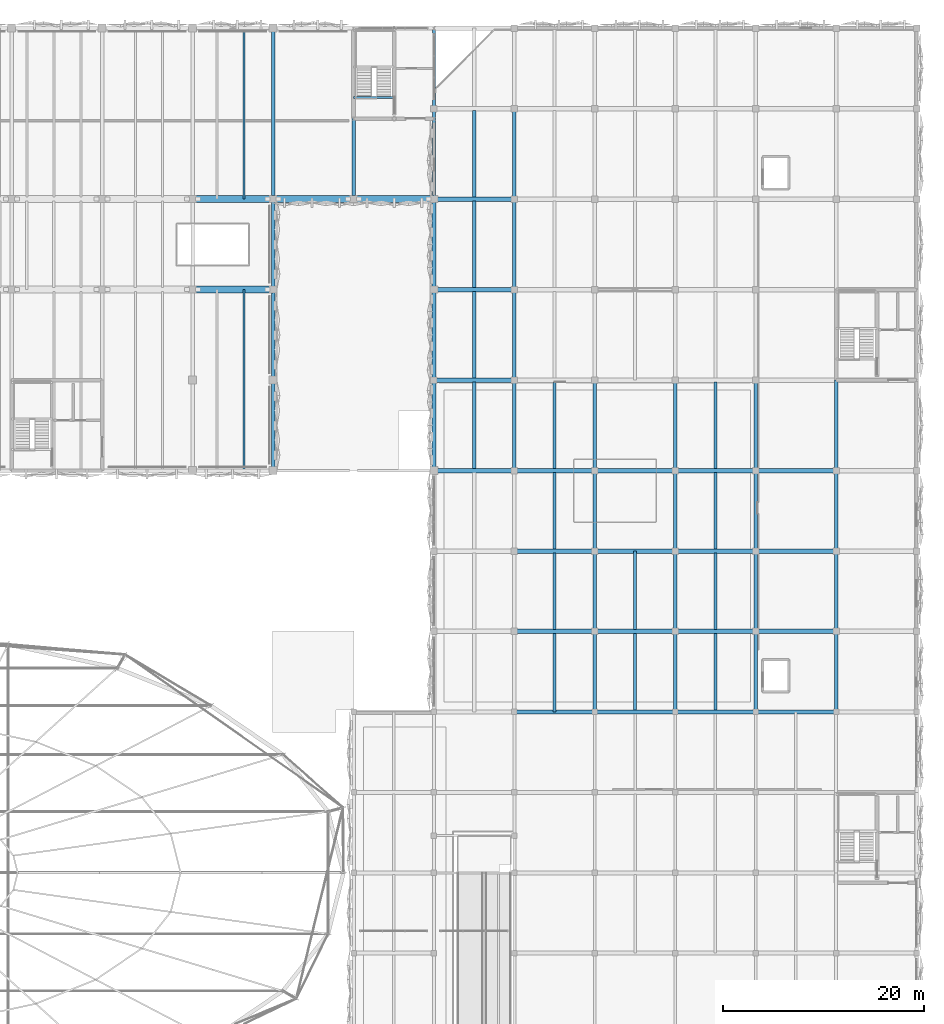
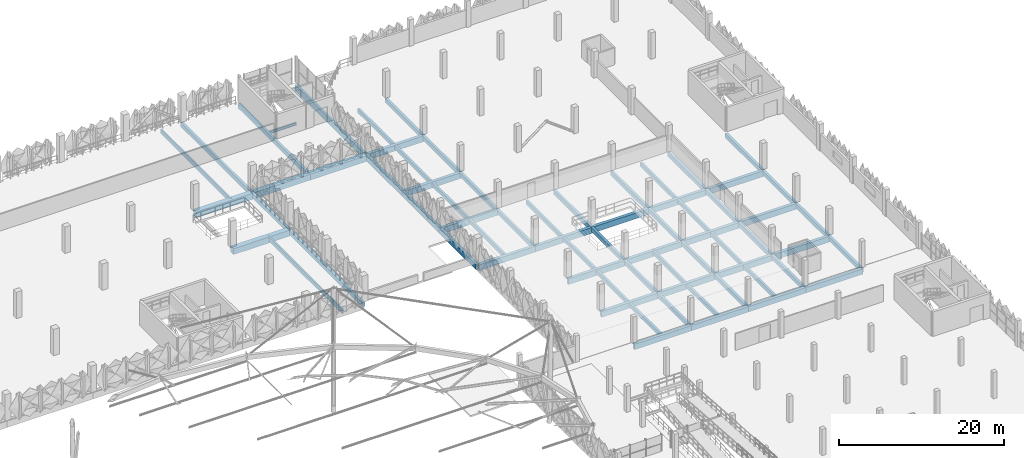
# One storey, part 30 of 96: 69 beams.
"""IFC4 building model written with IfcOpenShell, lengths in metres."""

from ifc_helpers import new_model, si_unit, derived_unit, direction, frame, origin, origin_2d, place, context, subcontext, project, spatial, rectangle, i_section, extrude, material, material_profile, profile_set, type_object, element, save


model = new_model("IFC4")

# Units and contexts
model_context = context("Model", 3, precision=1e-05, world=origin(), true_north=direction((0.0, 1.0)))
body_context = subcontext(model_context, "Body", "Model", "MODEL_VIEW")
ifc_project = project(units=[si_unit("LENGTHUNIT", "METRE"), si_unit("AREAUNIT", "SQUARE_METRE"), si_unit("VOLUMEUNIT", "CUBIC_METRE"), si_unit("PLANEANGLEUNIT", "RADIAN"), si_unit("MASSUNIT", "GRAM", prefix="KILO"), si_unit("THERMODYNAMICTEMPERATUREUNIT", "KELVIN"), derived_unit("THERMALTRANSMITTANCEUNIT", [(si_unit("POWERUNIT", "WATT"), 1), (si_unit("AREAUNIT", "SQUARE_METRE"), -1), (si_unit("THERMODYNAMICTEMPERATUREUNIT", "KELVIN"), -1)])], contexts=[model_context])

# Site, building, storey
site_placement = place(None, origin())
site = spatial("IfcSite", under=ifc_project, at=site_placement, CompositionType="ELEMENT")
building_placement = place(site_placement, origin())
building = spatial("IfcBuilding", under=site, at=building_placement, Name="Haiyu Intermodal Mobility Hub", CompositionType="ELEMENT")
storey_placement = place(building_placement, frame((0.0, 0.0, 9.5)))
storey = spatial("IfcBuildingStorey", under=building, at=storey_placement, Name="L02", CompositionType="ELEMENT", Elevation=9.5)

# Beams
ifc_material_1 = material(Name="Concrete C40", Category="concrete")
ifc_material_profile_1 = material_profile(ifc_material_1, rectangle(XDim=0.449951171875, YDim=0.85009765625, at=origin_2d()), Name="RCB450x850")
ifc_profile_set_1 = profile_set([ifc_material_profile_1], Name="Concrete C40")
beam_type_1 = type_object("IfcBeamType", Name="BM-CB02", PredefinedType="BEAM", material=ifc_profile_set_1)
for number, where, z_axis, x_axis, name in (
    (1, (170.0, 88.0, -0.68505859375), (1.0, 0.0, 0.0), (0.0, 1.0, 0.0), "BM-V6G-L02-008"),
    (2, (178.0, 88.0, -0.68505859375), (1.0, 0.0, 0.0), (0.0, 1.0, 0.0), "BM-V6G-L02-009"),
    (3, (186.0, 88.0, -0.68505859375), (1.0, 0.0, 0.0), (0.0, 1.0, 0.0), "BM-V6G-L02-010"),
    (4, (194.0, 88.0, -0.68505859375), (1.0, 0.0, 0.0), (0.0, 1.0, 0.0), "BM-V6G-L02-011"),
    (5, (170.0, 96.0, -0.68505859375), (1.0, 0.0, 0.0), (0.0, 1.0, 0.0), "BM-V6G-L02-014"),
    (6, (178.0, 96.0, -0.68505859375), (1.0, 0.0, 0.0), (0.0, 1.0, 0.0), "BM-V6G-L02-015"),
    (7, (186.0, 96.0, -0.68505859375), (1.0, 0.0, 0.0), (0.0, 1.0, 0.0), "BM-V6G-L02-016"),
    (8, (194.0, 96.0, -0.68505859375), (1.0, 0.0, 0.0), (0.0, 1.0, 0.0), "BM-V6G-L02-017"),
    (9, (162.0, 104.0, -0.68505859375), (1.0, 0.0, 0.0), (0.0, 1.0, 0.0), "BM-V6G-L02-019"),
    (10, (170.0, 104.0, -0.68505859375), (1.0, 0.0, 0.0), (0.0, 1.0, 0.0), "BM-V6G-L02-020"),
    (11, (178.0, 104.0, -0.68505859375), (1.0, 0.0, 0.0), (0.0, 1.0, 0.0), "BM-V6G-L02-021"),
    (12, (186.0, 104.0, -0.68505859375), (1.0, 0.0, 0.0), (0.0, 1.0, 0.0), "BM-V6G-L02-022"),
    (13, (194.0, 104.0, -0.68505859375), (1.0, 0.0, 0.0), (0.0, 1.0, 0.0), "BM-V6G-L02-023"),
    (14, (162.0, 113.0, -0.68505859375), (1.0, 0.0, 0.0), (0.0, 1.0, 0.0), "BM-V6G-L02-025"),
    (15, (162.0, 122.0, -0.68505859375), (1.0, 0.0, 0.0), (0.0, 1.0, 0.0), "BM-V6G-L02-031"),
    (16, (162.0, 131.0, -0.68505859375), (1.0, 0.0, 0.0), (0.0, 1.0, 0.0), "BM-V6G-L02-037"),
):
    element("IfcBeam", number, at=place(storey_placement, frame(where, z_axis=z_axis, x_axis=x_axis)), inside=storey, type_object=beam_type_1, Name=name, PredefinedType="BEAM", context=body_context, shape_type="SweptSolid", body=[
        extrude(rectangle(XDim=0.449951171875, YDim=0.85009765625, at=origin_2d()), origin(), (0.0, 0.0, 1.0), 8.0),
    ])
ifc_material_profile_2 = material_profile(ifc_material_1, rectangle(XDim=0.35009765625, YDim=0.64990234375, at=origin_2d()), Name="RCB350x650")
ifc_profile_set_2 = profile_set([ifc_material_profile_2], Name="Concrete C40")
beam_type_2 = type_object("IfcBeamType", Name="BM-CB04", PredefinedType="BEAM", material=ifc_profile_set_2)
beam_1_placement = place(storey_placement, frame((146.0, 104.0, -0.60009765625), z_axis=(0.0, 1.0, 0.0), x_axis=(-1.0, 0.0, 0.0)))
element("IfcBeam", 17, at=beam_1_placement, inside=storey, type_object=beam_type_2, Name="BM-V4E-L02-039", PredefinedType="BEAM", context=body_context, shape_type="SweptSolid", body=[
    extrude(rectangle(XDim=0.35009765625, YDim=0.64990234375, at=origin_2d()), origin(), (0.0, 0.0, 1.0), 18.0),
])
beam_2_placement = place(storey_placement, frame((146.0, 122.0, -0.60009765625), z_axis=(0.0, 1.0, 0.0), x_axis=(-1.0, 0.0, 0.0)))
element("IfcBeam", 18, at=beam_2_placement, inside=storey, type_object=beam_type_2, Name="BM-V4E-L02-040", PredefinedType="BEAM", context=body_context, shape_type="SweptSolid", body=[
    extrude(rectangle(XDim=0.35009765625, YDim=0.64990234375, at=origin_2d()), origin(), (0.0, 0.0, 1.0), 9.0),
])
for number, where, z_axis, x_axis, name in (
    (19, (146.0, 131.0, -0.60009765625), (0.0, 1.0, 0.0), (-1.0, 0.0, 0.0), "BM-V4E-L02-041"),
    (20, (154.0, 131.0, -0.60009765625), (0.0, 1.0, 0.0), (-1.0, 0.0, 0.0), "BM-V4E-L02-042"),
):
    element("IfcBeam", number, at=place(storey_placement, frame(where, z_axis=z_axis, x_axis=x_axis)), inside=storey, type_object=beam_type_2, Name=name, PredefinedType="BEAM", context=body_context, shape_type="SweptSolid", body=[
        extrude(rectangle(XDim=0.35009765625, YDim=0.64990234375, at=origin_2d()), origin(), (0.0, 0.0, 1.0), 17.0),
    ])
ifc_material_profile_3 = material_profile(ifc_material_1, rectangle(XDim=0.39990234375, YDim=0.800048828125, at=origin_2d()), Name="RCB400x800")
ifc_profile_set_3 = profile_set([ifc_material_profile_3], Name="Concrete C40")
beam_type_3 = type_object("IfcBeamType", Name="BM-CB05", PredefinedType="BEAM", material=ifc_profile_set_3)
for number, where, z_axis, x_axis, name in (
    (21, (170.0, 80.0, -0.659912109375), (1.0, 0.0, 0.0), (0.0, 1.0, 0.0), "BM-V5G-L02-058"),
    (22, (178.0, 80.0, -0.659912109375), (1.0, 0.0, 0.0), (0.0, 1.0, 0.0), "BM-V5G-L02-059"),
    (23, (186.0, 80.0, -0.659912109375), (1.0, 0.0, 0.0), (0.0, 1.0, 0.0), "BM-V5G-L02-060"),
    (24, (194.0, 80.0, -0.659912109375), (1.0, 0.0, 0.0), (0.0, 1.0, 0.0), "BM-V5G-L02-061"),
):
    element("IfcBeam", number, at=place(storey_placement, frame(where, z_axis=z_axis, x_axis=x_axis)), inside=storey, type_object=beam_type_3, Name=name, PredefinedType="BEAM", context=body_context, shape_type="SweptSolid", body=[
        extrude(rectangle(XDim=0.39990234375, YDim=0.800048828125, at=origin_2d()), origin(), (0.0, 0.0, 1.0), 8.0),
    ])
for number, where, z_axis, x_axis, name in (
    (25, (162.0, 104.0, -0.659912109375), (0.0, 1.0, 0.0), (-1.0, 0.0, 0.0), "BM-V6T-L02-004"),
    (26, (162.0, 113.0, -0.659912109375), (0.0, 1.0, 0.0), (-1.0, 0.0, 0.0), "BM-V6T-L02-005"),
    (27, (162.0, 122.0, -0.659912109375), (0.0, 1.0, 0.0), (-1.0, 0.0, 0.0), "BM-V6T-L02-006"),
):
    element("IfcBeam", number, at=place(storey_placement, frame(where, z_axis=z_axis, x_axis=x_axis)), inside=storey, type_object=beam_type_3, Name=name, PredefinedType="BEAM", context=body_context, shape_type="SweptSolid", body=[
        extrude(rectangle(XDim=0.39990234375, YDim=0.800048828125, at=origin_2d()), origin(), (0.0, 0.0, 1.0), 9.0),
    ])
ifc_material_profile_4 = material_profile(ifc_material_1, rectangle(XDim=0.360107421875, YDim=0.6201171875, at=origin_2d()), Name="B360x620")
ifc_profile_set_4 = profile_set([ifc_material_profile_4], Name="Concrete C40")
beam_type_4 = type_object("IfcBeamType", Name="BM-CB16", PredefinedType="BEAM", material=ifc_profile_set_4)
for number, where, z_axis, x_axis, name in (
    (28, (170.0, 104.0, -0.570068359375), (0.0, 1.0, 0.0), (-1.0, 0.0, 0.0), "BM-V6T-L02-012"),
    (29, (170.0, 113.0, -0.570068359375), (0.0, 1.0, 0.0), (-1.0, 0.0, 0.0), "BM-V6T-L02-013"),
    (30, (170.0, 122.0, -0.570068359375), (0.0, 1.0, 0.0), (-1.0, 0.0, 0.0), "BM-V6T-L02-014"),
    (31, (170.0, 131.0, -0.570068359375), (0.0, 1.0, 0.0), (-1.0, 0.0, 0.0), "BM-V6T-L02-015"),
):
    element("IfcBeam", number, at=place(storey_placement, frame(where, z_axis=z_axis, x_axis=x_axis)), inside=storey, type_object=beam_type_4, Name=name, PredefinedType="BEAM", context=body_context, shape_type="SweptSolid", body=[
        extrude(rectangle(XDim=0.360107421875, YDim=0.6201171875, at=origin_2d()), origin(), (0.0, 0.0, 1.0), 9.0),
    ])
for number, where, z_axis, x_axis, name in (
    (32, (178.0, 80.0, -0.570068359375), (0.0, 1.0, 0.0), (-1.0, 0.0, 0.0), "BM-V6T-L02-017"),
    (33, (178.0, 88.0, -0.570068359375), (0.0, 1.0, 0.0), (-1.0, 0.0, 0.0), "BM-V6T-L02-018"),
    (34, (178.0, 96.0, -0.570068359375), (0.0, 1.0, 0.0), (-1.0, 0.0, 0.0), "BM-V6T-L02-019"),
):
    element("IfcBeam", number, at=place(storey_placement, frame(where, z_axis=z_axis, x_axis=x_axis)), inside=storey, type_object=beam_type_4, Name=name, PredefinedType="BEAM", context=body_context, shape_type="SweptSolid", body=[
        extrude(rectangle(XDim=0.360107421875, YDim=0.6201171875, at=origin_2d()), origin(), (0.0, 0.0, 1.0), 8.0),
    ])
beam_3_placement = place(storey_placement, frame((178.0, 104.0, -0.570068359375), z_axis=(0.0, 1.0, 0.0), x_axis=(-1.0, 0.0, 0.0)))
element("IfcBeam", 35, at=beam_3_placement, inside=storey, type_object=beam_type_4, Name="BM-V6T-L02-020", PredefinedType="BEAM", context=body_context, shape_type="SweptSolid", body=[
    extrude(rectangle(XDim=0.360107421875, YDim=0.6201171875, at=origin_2d()), origin(), (0.0, 0.0, 1.0), 9.0),
])
for number, where, z_axis, x_axis, name in (
    (36, (186.0, 80.0, -0.570068359375), (0.0, 1.0, 0.0), (-1.0, 0.0, 0.0), "BM-V6T-L02-025"),
    (37, (186.0, 88.0, -0.570068359375), (0.0, 1.0, 0.0), (-1.0, 0.0, 0.0), "BM-V6T-L02-026"),
    (38, (186.0, 96.0, -0.570068359375), (0.0, 1.0, 0.0), (-1.0, 0.0, 0.0), "BM-V6T-L02-027"),
):
    element("IfcBeam", number, at=place(storey_placement, frame(where, z_axis=z_axis, x_axis=x_axis)), inside=storey, type_object=beam_type_4, Name=name, PredefinedType="BEAM", context=body_context, shape_type="SweptSolid", body=[
        extrude(rectangle(XDim=0.360107421875, YDim=0.6201171875, at=origin_2d()), origin(), (0.0, 0.0, 1.0), 8.0),
    ])
beam_4_placement = place(storey_placement, frame((186.0, 104.0, -0.570068359375), z_axis=(0.0, 1.0, 0.0), x_axis=(-1.0, 0.0, 0.0)))
element("IfcBeam", 39, at=beam_4_placement, inside=storey, type_object=beam_type_4, Name="BM-V6T-L02-028", PredefinedType="BEAM", context=body_context, shape_type="SweptSolid", body=[
    extrude(rectangle(XDim=0.360107421875, YDim=0.6201171875, at=origin_2d()), origin(), (0.0, 0.0, 1.0), 9.0),
])
for number, where, z_axis, x_axis, name in (
    (40, (194.0, 80.0, -0.570068359375), (0.0, 1.0, 0.0), (-1.0, 0.0, 0.0), "BM-V6T-L02-033"),
    (41, (194.0, 88.0, -0.570068359375), (0.0, 1.0, 0.0), (-1.0, 0.0, 0.0), "BM-V6T-L02-034"),
    (42, (194.0, 96.0, -0.570068359375), (0.0, 1.0, 0.0), (-1.0, 0.0, 0.0), "BM-V6T-L02-035"),
):
    element("IfcBeam", number, at=place(storey_placement, frame(where, z_axis=z_axis, x_axis=x_axis)), inside=storey, type_object=beam_type_4, Name=name, PredefinedType="BEAM", context=body_context, shape_type="SweptSolid", body=[
        extrude(rectangle(XDim=0.360107421875, YDim=0.6201171875, at=origin_2d()), origin(), (0.0, 0.0, 1.0), 8.0),
    ])
beam_5_placement = place(storey_placement, frame((194.0, 104.0, -0.570068359375), z_axis=(0.0, 1.0, 0.0), x_axis=(-1.0, 0.0, 0.0)))
element("IfcBeam", 43, at=beam_5_placement, inside=storey, type_object=beam_type_4, Name="BM-V6T-L02-036", PredefinedType="BEAM", context=body_context, shape_type="SweptSolid", body=[
    extrude(rectangle(XDim=0.360107421875, YDim=0.6201171875, at=origin_2d()), origin(), (0.0, 0.0, 1.0), 9.0),
])
for number, where, z_axis, x_axis, name in (
    (44, (202.0, 80.0, -0.570068359375), (0.0, 1.0, 0.0), (-1.0, 0.0, 0.0), "BM-V6T-L02-041"),
    (45, (202.0, 88.0, -0.570068359375), (0.0, 1.0, 0.0), (-1.0, 0.0, 0.0), "BM-V6T-L02-042"),
    (46, (202.0, 96.0, -0.570068359375), (0.0, 1.0, 0.0), (-1.0, 0.0, 0.0), "BM-V6T-L02-043"),
):
    element("IfcBeam", number, at=place(storey_placement, frame(where, z_axis=z_axis, x_axis=x_axis)), inside=storey, type_object=beam_type_4, Name=name, PredefinedType="BEAM", context=body_context, shape_type="SweptSolid", body=[
        extrude(rectangle(XDim=0.360107421875, YDim=0.6201171875, at=origin_2d()), origin(), (0.0, 0.0, 1.0), 8.0),
    ])
beam_6_placement = place(storey_placement, frame((202.0, 104.0, -0.570068359375), z_axis=(0.0, 1.0, 0.0), x_axis=(-1.0, 0.0, 0.0)))
element("IfcBeam", 47, at=beam_6_placement, inside=storey, type_object=beam_type_4, Name="BM-V6T-L02-044", PredefinedType="BEAM", context=body_context, shape_type="SweptSolid", body=[
    extrude(rectangle(XDim=0.360107421875, YDim=0.6201171875, at=origin_2d()), origin(), (0.0, 0.0, 1.0), 9.0),
])
ifc_material_profile_5 = material_profile(ifc_material_1, rectangle(XDim=0.320068359375, YDim=0.580078125, at=origin_2d()), Name="B320x580")
ifc_profile_set_5 = profile_set([ifc_material_profile_5], Name="Concrete C40")
beam_type_5 = type_object("IfcBeamType", Name="BM-CB17", PredefinedType="JOIST", material=ifc_profile_set_5)
for number, where, z_axis, x_axis, name in (
    (48, (166.0, 104.195068359375, -0.550048828125), (0.0, 1.0, 0.0), (-1.0, 0.0, 0.0), "BM-V6J-L02-004"),
    (49, (166.0, 113.195068359375, -0.550048828125), (0.0, 1.0, 0.0), (-1.0, 0.0, 0.0), "BM-V6J-L02-005"),
    (50, (166.0, 122.195068359375, -0.550048828125), (0.0, 1.0, 0.0), (-1.0, 0.0, 0.0), "BM-V6J-L02-006"),
    (51, (166.0, 131.195068359375, -0.550048828125), (0.0, 1.0, 0.0), (-1.0, 0.0, 0.0), "BM-V6J-L02-007"),
):
    element("IfcBeam", number, at=place(storey_placement, frame(where, z_axis=z_axis, x_axis=x_axis)), inside=storey, type_object=beam_type_5, Name=name, PredefinedType="JOIST", context=body_context, shape_type="SweptSolid", body=[
        extrude(rectangle(XDim=0.320068359375, YDim=0.580078125, at=origin_2d()), origin(), (0.0, 0.0, 1.0), 8.60986328125),
    ])
beam_7_placement = place(storey_placement, frame((174.0, 80.0, -0.550048828125), z_axis=(0.0, 1.0, 0.0), x_axis=(-1.0, 0.0, 0.0)))
element("IfcBeam", 52, at=beam_7_placement, inside=storey, type_object=beam_type_5, Name="BM-V6J-L02-009", PredefinedType="JOIST", context=body_context, shape_type="SweptSolid", body=[
    extrude(rectangle(XDim=0.320068359375, YDim=0.580078125, at=origin_2d()), origin(), (0.0, 0.0, 1.0), 7.804931640625),
])
for number, where, z_axis, x_axis, name in (
    (53, (174.0, 88.195068359375, -0.550048828125), (0.0, 1.0, 0.0), (-1.0, 0.0, 0.0), "BM-V6J-L02-010"),
    (54, (174.0, 96.195068359375, -0.550048828125), (0.0, 1.0, 0.0), (-1.0, 0.0, 0.0), "BM-V6J-L02-011"),
):
    element("IfcBeam", number, at=place(storey_placement, frame(where, z_axis=z_axis, x_axis=x_axis)), inside=storey, type_object=beam_type_5, Name=name, PredefinedType="JOIST", context=body_context, shape_type="SweptSolid", body=[
        extrude(rectangle(XDim=0.320068359375, YDim=0.580078125, at=origin_2d()), origin(), (0.0, 0.0, 1.0), 7.60986328125),
    ])
beam_8_placement = place(storey_placement, frame((174.0, 104.195068359375, -0.550048828125), z_axis=(0.0, 1.0, 0.0), x_axis=(-1.0, 0.0, 0.0)))
element("IfcBeam", 55, at=beam_8_placement, inside=storey, type_object=beam_type_5, Name="BM-V6J-L02-012", PredefinedType="JOIST", context=body_context, shape_type="SweptSolid", body=[
    extrude(rectangle(XDim=0.320068359375, YDim=0.580078125, at=origin_2d()), origin(), (0.0, 0.0, 1.0), 8.60986328125),
])
beam_9_placement = place(storey_placement, frame((182.0, 80.18505859375, -0.550048828125), z_axis=(0.0, 1.0, 0.0), x_axis=(-1.0, 0.0, 0.0)))
element("IfcBeam", 56, at=beam_9_placement, inside=storey, type_object=beam_type_5, Name="BM-V6J-L02-017", PredefinedType="JOIST", context=body_context, shape_type="SweptSolid", body=[
    extrude(rectangle(XDim=0.320068359375, YDim=0.580078125, at=origin_2d()), origin(), (0.0, 0.0, 1.0), 7.619873046875),
])
beam_10_placement = place(storey_placement, frame((182.0, 88.195068359375, -0.550048828125), z_axis=(0.0, 1.0, 0.0), x_axis=(-1.0, 0.0, 0.0)))
element("IfcBeam", 57, at=beam_10_placement, inside=storey, type_object=beam_type_5, Name="BM-V6J-L02-018", PredefinedType="JOIST", context=body_context, shape_type="SweptSolid", body=[
    extrude(rectangle(XDim=0.320068359375, YDim=0.580078125, at=origin_2d()), origin(), (0.0, 0.0, 1.0), 7.804931640625),
])
beam_11_placement = place(storey_placement, frame((190.0, 80.18505859375, -0.550048828125), z_axis=(0.0, 1.0, 0.0), x_axis=(-1.0, 0.0, 0.0)))
element("IfcBeam", 58, at=beam_11_placement, inside=storey, type_object=beam_type_5, Name="BM-V6J-L02-023", PredefinedType="JOIST", context=body_context, shape_type="SweptSolid", body=[
    extrude(rectangle(XDim=0.320068359375, YDim=0.580078125, at=origin_2d()), origin(), (0.0, 0.0, 1.0), 7.619873046875),
])
for number, where, z_axis, x_axis, name in (
    (59, (190.0, 88.195068359375, -0.550048828125), (0.0, 1.0, 0.0), (-1.0, 0.0, 0.0), "BM-V6J-L02-024"),
    (60, (190.0, 96.195068359375, -0.550048828125), (0.0, 1.0, 0.0), (-1.0, 0.0, 0.0), "BM-V6J-L02-025"),
):
    element("IfcBeam", number, at=place(storey_placement, frame(where, z_axis=z_axis, x_axis=x_axis)), inside=storey, type_object=beam_type_5, Name=name, PredefinedType="JOIST", context=body_context, shape_type="SweptSolid", body=[
        extrude(rectangle(XDim=0.320068359375, YDim=0.580078125, at=origin_2d()), origin(), (0.0, 0.0, 1.0), 7.60986328125),
    ])
beam_12_placement = place(storey_placement, frame((190.0, 104.195068359375, -0.550048828125), z_axis=(0.0, 1.0, 0.0), x_axis=(-1.0, 0.0, 0.0)))
element("IfcBeam", 61, at=beam_12_placement, inside=storey, type_object=beam_type_5, Name="BM-V6J-L02-026", PredefinedType="JOIST", context=body_context, shape_type="SweptSolid", body=[
    extrude(rectangle(XDim=0.320068359375, YDim=0.580078125, at=origin_2d()), origin(), (0.0, 0.0, 1.0), 8.60986328125),
])
ifc_material_2 = material(Name="Precast concrete C50", Category="concrete")
ifc_material_profile_6 = material_profile(ifc_material_2, rectangle(XDim=0.199951171875, YDim=0.659912109375, at=origin_2d()), Name="PC200x660")
ifc_profile_set_6 = profile_set([ifc_material_profile_6], Name="Precast concrete C50")
beam_type_6 = type_object("IfcBeamType", Name="BM-DT03", PredefinedType="JOIST", material=ifc_profile_set_6)
beam_13_placement = place(storey_placement, frame((143.10009765625, 104.0, -0.60498046875), z_axis=(0.0, 1.0, 0.0), x_axis=(-1.0, 0.0, 0.0)))
element("IfcBeam", 62, at=beam_13_placement, inside=storey, type_object=beam_type_6, Name="BM-DT-L02-085", PredefinedType="JOIST", context=body_context, shape_type="SweptSolid", body=[
    extrude(rectangle(XDim=0.199951171875, YDim=0.659912109375, at=origin_2d()), origin(), (0.0, 0.0, 1.0), 18.0),
])
beam_14_placement = place(storey_placement, frame((143.10009765625, 131.0, -0.60498046875), z_axis=(0.0, 1.0, 0.0), x_axis=(-1.0, 0.0, 0.0)))
element("IfcBeam", 63, at=beam_14_placement, inside=storey, type_object=beam_type_6, Name="BM-DT-L02-086", PredefinedType="JOIST", context=body_context, shape_type="SweptSolid", body=[
    extrude(rectangle(XDim=0.199951171875, YDim=0.659912109375, at=origin_2d()), origin(), (0.0, 0.0, 1.0), 17.0),
])
ifc_material_profile_7 = material_profile(ifc_material_2, rectangle(XDim=0.719970703125, YDim=0.8798828125, at=origin_2d()), Name="B720x880")
ifc_profile_set_7 = profile_set([ifc_material_profile_7], Name="Precast concrete C50")
beam_type_7 = type_object("IfcBeamType", Name="BM-IT04", PredefinedType="T_BEAM", material=ifc_profile_set_7)
for number, where, z_axis, x_axis, name in (
    (64, (138.0, 122.0, -0.715087890625), (1.0, 0.0, 0.0), (0.0, 1.0, 0.0), "BM-V4G-L02-024"),
    (65, (138.0, 131.0, -0.715087890625), (1.0, 0.0, 0.0), (0.0, 1.0, 0.0), "BM-V4G-L02-038"),
    (66, (146.0, 131.0, -0.715087890625), (1.0, 0.0, 0.0), (0.0, 1.0, 0.0), "BM-V4G-L02-039"),
    (67, (154.0, 131.0, -0.715087890625), (1.0, 0.0, 0.0), (0.0, 1.0, 0.0), "BM-V4G-L02-040"),
):
    element("IfcBeam", number, at=place(storey_placement, frame(where, z_axis=z_axis, x_axis=x_axis)), inside=storey, type_object=beam_type_7, Name=name, PredefinedType="T_BEAM", context=body_context, shape_type="SweptSolid", body=[
        extrude(rectangle(XDim=0.719970703125, YDim=0.8798828125, at=origin_2d()), origin(), (0.0, 0.0, 1.0), 8.0),
    ])
ifc_material_3 = material(Name="Steel Q355C", Category="steel")
ifc_material_profile_8 = material_profile(ifc_material_3, i_section(OverallWidth=0.199951171875, OverallDepth=0.39990234375, WebThickness=0.008056640625, FlangeThickness=0.012939453125, FilletRadius=0.01611328125, at=origin_2d()), Name="HN400x200x8x13")
ifc_profile_set_8 = profile_set([ifc_material_profile_8], Name="Steel Q355C")
beam_type_8 = type_object("IfcBeamType", Name="BM-SB08", PredefinedType="JOIST", material=ifc_profile_set_8)
beam_15_placement = place(storey_placement, frame((154.0, 141.10009765625, -0.52490234375), z_axis=(1.0, 0.0, 0.0), x_axis=(0.0, 1.0, 0.0)))
element("IfcBeam", 68, at=beam_15_placement, inside=storey, type_object=beam_type_8, Name="Stair Arrival Trimmer Beam C4-L01", PredefinedType="JOIST", context=body_context, shape_type="SweptSolid", body=[
    extrude(i_section(OverallWidth=0.199951171875, OverallDepth=0.39990234375, WebThickness=0.008056640625, FlangeThickness=0.012939453125, FilletRadius=0.01611328125, at=origin_2d()), origin(), (0.0, 0.0, 1.0), 4.050048828125),
])
ifc_material_4 = material(Name="Precast concrete C40", Category="concrete")
ifc_material_profile_9 = material_profile(ifc_material_4, rectangle(XDim=0.340087890625, YDim=0.89990234375, at=origin_2d()), Name="B340x900")
ifc_profile_set_9 = profile_set([ifc_material_profile_9], Name="Precast concrete C40")
beam_type_9 = type_object("IfcBeamType", Name="BM-SP04", PredefinedType="SPANDREL", material=ifc_profile_set_9)
beam_16_placement = place(storey_placement, frame((162.0, 131.0, -0.72509765625), z_axis=(0.0, 1.0, 0.0), x_axis=(-1.0, 0.0, 0.0)))
element("IfcBeam", 69, at=beam_16_placement, inside=storey, type_object=beam_type_9, Name="BM-V4E-L02-043", PredefinedType="SPANDREL", context=body_context, shape_type="SweptSolid", body=[
    extrude(rectangle(XDim=0.340087890625, YDim=0.89990234375, at=origin_2d()), origin(), (0.0, 0.0, 1.0), 17.0),
])

save(model, "model.ifc")
